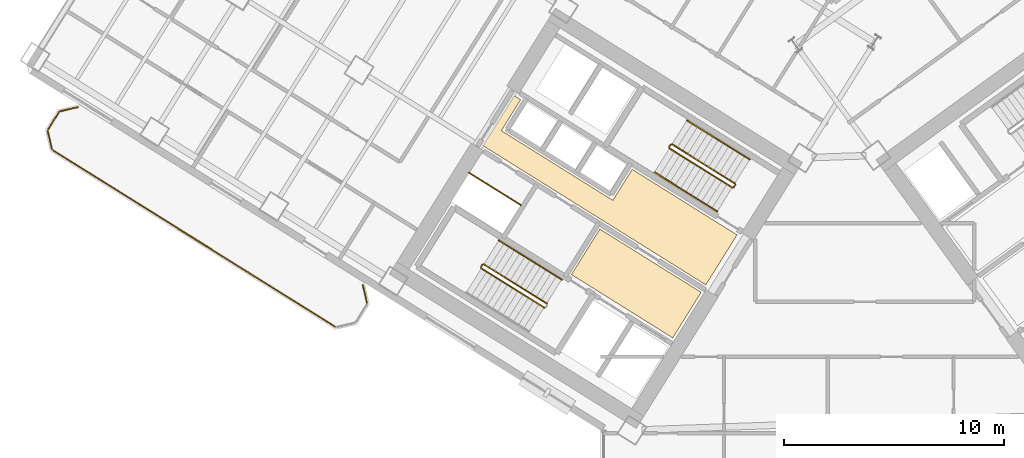
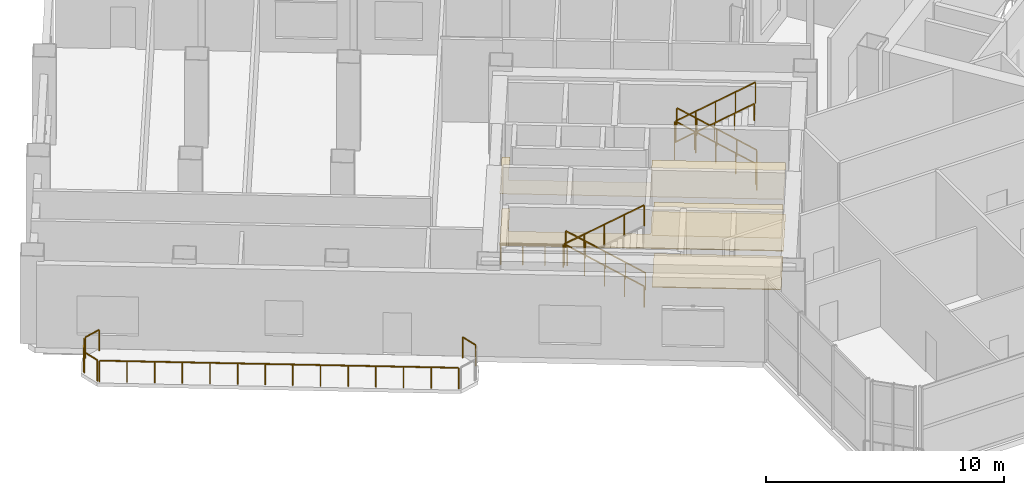
# One storey, part 17 of 19: 19 railings, 4 coverings.
"""IFC4 building model written with IfcOpenShell, lengths in metres."""

from ifc_helpers import new_model, si_unit, direction, frame, origin, origin_2d, place, context, subcontext, project, spatial, polyline, rectangle, outline, extrude, source, transform, mapped, material, layer, layer_set, type_object, element, save


model = new_model("IFC4")

# Units and contexts
model_context = context("Model", 3, precision=1e-05, world=origin(), true_north=direction((0.0, 1.0)))
body_context = subcontext(model_context, "Body", "Model", "MODEL_VIEW")
ifc_project = project(units=[si_unit("LENGTHUNIT", "METRE"), si_unit("AREAUNIT", "SQUARE_METRE"), si_unit("VOLUMEUNIT", "CUBIC_METRE"), si_unit("PLANEANGLEUNIT", "RADIAN"), si_unit("MASSUNIT", "GRAM", prefix="KILO")], contexts=[model_context])

# Site, building, storey
site_placement = place(None, origin())
site = spatial("IfcSite", under=ifc_project, at=site_placement, CompositionType="ELEMENT")
building_placement = place(site_placement, origin())
building = spatial("IfcBuilding", under=site, at=building_placement, Name="Tlacorven Tower", CompositionType="ELEMENT")
storey_placement = place(building_placement, frame((0.0, 0.0, 76.5)))
storey = spatial("IfcBuildingStorey", under=building, at=storey_placement, Name="L19", CompositionType="ELEMENT", Elevation=76.5)

# Coverings
ifc_material_1 = material(Name="Acoustic mineral-fibre ceiling")
ifc_layer_1 = layer(ifc_material_1, 0.02490234375)
ifc_layer_set_1 = layer_set([ifc_layer_1], Name="Acoustic mineral-fibre ceiling")
covering_type_1 = type_object("IfcCoveringType", Name="CV-CLG-ACST", PredefinedType="CEILING", material=ifc_layer_set_1)
covering_1_placement = place(storey_placement, frame((0.0, 0.0, 2.64990234375)))
element("IfcCovering", 1, at=covering_1_placement, inside=storey, type_object=covering_type_1, Name="L19 Acoustic Suspended Ceiling 1", PredefinedType="CEILING", context=body_context, shape_type="SweptSolid", body=[
    extrude(outline(polyline([(36.185302734375, 18.35595703125), (34.892333984375, 16.286865234375), (30.287353515625, 19.164306640625), (31.580322265625, 21.2333984375), (36.185302734375, 18.35595703125)])), origin(), (0.0, 0.0, 1.0), 0.025146484375),
])
covering_2_placement = place(storey_placement, frame((0.0, 0.0, 2.64990234375)))
element("IfcCovering", 2, at=covering_2_placement, inside=storey, type_object=covering_type_1, Name="L19 Acoustic Suspended Ceiling 2", PredefinedType="CEILING", context=body_context, shape_type="SweptSolid", body=[
    extrude(outline(polyline([(37.8173828125, 20.968017578125), (36.397216796875, 18.6953125), (26.271484375, 25.0224609375), (27.691650390625, 27.295166015625), (27.97998046875, 27.114990234375), (27.100341796875, 25.707275390625), (32.171630859375, 22.538330078125), (33.05126953125, 23.946044921875), (37.8173828125, 20.968017578125)])), origin(), (0.0, 0.0, 1.0), 0.025146484375),
])
ifc_material_2 = material(Name="Terrazzo and ceramic flooring")
ifc_layer_2 = layer(ifc_material_2, 0.0400390625)
ifc_layer_set_2 = layer_set([ifc_layer_2], Name="Terrazzo and ceramic flooring")
covering_type_2 = type_object("IfcCoveringType", Name="CV-FLR-TERZ", PredefinedType="FLOORING", material=ifc_layer_set_2)
covering_3_placement = place(storey_placement, origin())
element("IfcCovering", 3, at=covering_3_placement, inside=storey, type_object=covering_type_2, Name="L19 Terrazzo Floor Finish 1", PredefinedType="FLOORING", context=body_context, shape_type="SweptSolid", body=[
    extrude(outline(polyline([(36.185302734375, 18.35595703125), (34.892333984375, 16.286865234375), (30.287353515625, 19.164306640625), (31.580322265625, 21.2333984375), (36.185302734375, 18.35595703125)])), origin(), (0.0, 0.0, 1.0), 0.0400390625),
])
covering_4_placement = place(storey_placement, origin())
element("IfcCovering", 4, at=covering_4_placement, inside=storey, type_object=covering_type_2, Name="L19 Terrazzo Floor Finish 2", PredefinedType="FLOORING", context=body_context, shape_type="SweptSolid", body=[
    extrude(outline(polyline([(37.8173828125, 20.968017578125), (36.397216796875, 18.6953125), (26.271484375, 25.0224609375), (27.691650390625, 27.295166015625), (27.97998046875, 27.114990234375), (27.100341796875, 25.707275390625), (32.171630859375, 22.538330078125), (33.05126953125, 23.946044921875), (37.8173828125, 20.968017578125)])), origin(), (0.0, 0.0, 1.0), 0.0400390625),
])

# Railings
ifc_material_3 = material(Name="Aluminium and painted steel balustrade", Category="steel")
railing_type_1 = type_object("IfcRailingType", Name="RL-GRD-1100", PredefinedType="GUARDRAIL", material=ifc_material_3)
shared_shape_1 = source(origin(), body_context, "Body", "SweptSolid", [
    extrude(rectangle(XDim=0.048095703125, YDim=0.048095703125, at=origin_2d()), frame((0.0, 0.0, 1.076171875), z_axis=(-0.848091358275, 0.529850024081, 0.0), x_axis=(-0.529850024081, -0.848091358275, 0.0)), (0.0, 0.0, 1.0), 2.800048828125),
    extrude(rectangle(XDim=0.0419921875, YDim=0.0419921875, at=origin_2d()), origin(), (0.0, 0.0, 1.0), 1.052001953125),
    extrude(rectangle(XDim=0.0419921875, YDim=0.0419921875, at=origin_2d()), frame((-0.79150390625, 0.49462890625, 0.0)), (0.0, 0.0, 1.0), 1.052001953125),
    extrude(rectangle(XDim=0.0419921875, YDim=0.0419921875, at=origin_2d()), frame((-1.583251953125, 0.989013671875, 0.0)), (0.0, 0.0, 1.0), 1.052001953125),
    extrude(rectangle(XDim=0.0419921875, YDim=0.0419921875, at=origin_2d()), frame((-2.374755859375, 1.483642578125, 0.0)), (0.0, 0.0, 1.0), 1.052001953125),
])
railing_1_placement = place(storey_placement, frame((27.9912109375, 22.32080078125, 0.0)))
element("IfcRailing", 5, at=railing_1_placement, inside=storey, type_object=railing_type_1, Name="L19 Electrical Riser W Shaft Guard 1", PredefinedType="GUARDRAIL", context=body_context, shape_type="MappedRepresentation", body=[
    mapped(shared_shape_1, transform((0.0, 0.0, 0.0), scale=1.0)),
])
railing_type_2 = type_object("IfcRailingType", Name="RL-BAL-1100", PredefinedType="BALUSTRADE", material=ifc_material_3)
shared_shape_2 = source(origin(), body_context, "Body", "SweptSolid", [
    extrude(rectangle(XDim=0.048095703125, YDim=0.048095703125, at=origin_2d()), frame((0.0, 0.0, 1.076171875), z_axis=(0.225058334816, -0.974345290916, 0.0), x_axis=(0.974345290916, 0.225058334816, 0.0)), (0.0, 0.0, 1.0), 0.80712890625),
    extrude(rectangle(XDim=0.0419921875, YDim=0.0419921875, at=origin_2d()), origin(), (0.0, 0.0, 1.0), 1.052001953125),
    extrude(rectangle(XDim=0.0419921875, YDim=0.0419921875, at=origin_2d()), frame((0.181640625, -0.786376953125, 0.0)), (0.0, 0.0, 1.0), 1.052001953125),
])
railing_2_placement = place(storey_placement, frame((20.809814453125, 18.671142578125, 0.0)))
element("IfcRailing", 6, at=railing_2_placement, inside=storey, type_object=railing_type_2, Name="BAL-L19-W-OUT Guard Railing 1", PredefinedType="BALUSTRADE", context=body_context, shape_type="MappedRepresentation", body=[
    mapped(shared_shape_2, transform((0.0, 0.0, 0.0), scale=1.0)),
])
shared_shape_3 = source(origin(), body_context, "Body", "SweptSolid", [
    extrude(rectangle(XDim=0.048095703125, YDim=0.048095703125, at=origin_2d()), frame((0.0, 0.0, 1.076171875), z_axis=(-0.225058334816, 0.974345290916, 0.0), x_axis=(-0.974345290916, -0.225058334816, 0.0)), (0.0, 0.0, 1.0), 0.80712890625),
    extrude(rectangle(XDim=0.0419921875, YDim=0.0419921875, at=origin_2d()), origin(), (0.0, 0.0, 1.0), 1.052001953125),
    extrude(rectangle(XDim=0.0419921875, YDim=0.0419921875, at=origin_2d()), frame((-0.181640625, 0.786376953125, 0.0)), (0.0, 0.0, 1.0), 1.052001953125),
])
railing_3_placement = place(storey_placement, frame((6.66650390625, 24.88623046875, 0.0)))
element("IfcRailing", 7, at=railing_3_placement, inside=storey, type_object=railing_type_2, Name="BAL-L19-W-OUT Guard Railing 5", PredefinedType="BALUSTRADE", context=body_context, shape_type="MappedRepresentation", body=[
    mapped(shared_shape_3, transform((0.0, 0.0, 0.0), scale=1.0)),
])
shared_shape_4 = source(origin(), body_context, "Body", "SweptSolid", [
    extrude(rectangle(XDim=0.048095703125, YDim=0.048095703125, at=origin_2d()), frame((0.0, 0.0, 1.076171875), z_axis=(0.974411586182, 0.224771129628, 0.0), x_axis=(-0.224771129628, 0.974411586182, 0.0)), (0.0, 0.0, 1.0), 0.80712890625),
    extrude(rectangle(XDim=0.0419921875, YDim=0.0419921875, at=origin_2d()), origin(), (0.0, 0.0, 1.0), 1.052001953125),
    extrude(rectangle(XDim=0.0419921875, YDim=0.0419921875, at=origin_2d()), frame((0.786376953125, 0.181396484375, 0.0)), (0.0, 0.0, 1.0), 1.052001953125),
])
railing_4_placement = place(storey_placement, frame((7.05859375, 26.591064453125, 0.0)))
element("IfcRailing", 8, at=railing_4_placement, inside=storey, type_object=railing_type_2, Name="BAL-L19-W-OUT Guard Railing 7", PredefinedType="BALUSTRADE", context=body_context, shape_type="MappedRepresentation", body=[
    mapped(shared_shape_4, transform((0.0, 0.0, 0.0), scale=1.0)),
])
shared_shape_5 = source(origin(), body_context, "Body", "SweptSolid", [
    extrude(rectangle(XDim=0.048095703125, YDim=0.048095703125, at=origin_2d()), frame((0.0, 0.0, 1.076171875), z_axis=(0.529998940003, 0.847998304005, 0.0), x_axis=(-0.847998304005, 0.529998940003, 0.0)), (0.0, 0.0, 1.0), 0.912109375),
    extrude(rectangle(XDim=0.0419921875, YDim=0.0419921875, at=origin_2d()), origin(), (0.0, 0.0, 1.0), 1.052001953125),
    extrude(rectangle(XDim=0.0419921875, YDim=0.0419921875, at=origin_2d()), frame((0.4833984375, 0.7734375, 0.0)), (0.0, 0.0, 1.0), 1.052001953125),
])
railing_5_placement = place(storey_placement, frame((6.5, 25.763916015625, 0.0)))
element("IfcRailing", 9, at=railing_5_placement, inside=storey, type_object=railing_type_2, Name="BAL-L19-W-OUT Guard Railing 6", PredefinedType="BALUSTRADE", context=body_context, shape_type="MappedRepresentation", body=[
    mapped(shared_shape_5, transform((0.0, 0.0, 0.0), scale=1.0)),
])
shared_shape_6 = source(origin(), body_context, "Body", "SweptSolid", [
    extrude(rectangle(XDim=0.048095703125, YDim=0.048095703125, at=origin_2d()), frame((0.0, 0.0, 1.076171875), z_axis=(-0.848051830527, 0.529913287944, 0.0), x_axis=(-0.529913287944, -0.848051830527, 0.0)), (0.0, 0.0, 1.0), 15.1171875),
    extrude(rectangle(XDim=0.0419921875, YDim=0.0419921875, at=origin_2d()), origin(), (0.0, 0.0, 1.0), 1.052001953125),
    extrude(rectangle(XDim=0.0419921875, YDim=0.0419921875, at=origin_2d()), frame((-0.986083984375, 0.6162109375, 0.0)), (0.0, 0.0, 1.0), 1.052001953125),
    extrude(rectangle(XDim=0.0419921875, YDim=0.0419921875, at=origin_2d()), frame((-1.972412109375, 1.232421875, 0.0)), (0.0, 0.0, 1.0), 1.052001953125),
    extrude(rectangle(XDim=0.0419921875, YDim=0.0419921875, at=origin_2d()), frame((-2.95849609375, 1.8486328125, 0.0)), (0.0, 0.0, 1.0), 1.052001953125),
    extrude(rectangle(XDim=0.0419921875, YDim=0.0419921875, at=origin_2d()), frame((-3.944580078125, 2.46484375, 0.0)), (0.0, 0.0, 1.0), 1.052001953125),
    extrude(rectangle(XDim=0.0419921875, YDim=0.0419921875, at=origin_2d()), frame((-4.930908203125, 3.0810546875, 0.0)), (0.0, 0.0, 1.0), 1.052001953125),
    extrude(rectangle(XDim=0.0419921875, YDim=0.0419921875, at=origin_2d()), frame((-5.9169921875, 3.697265625, 0.0)), (0.0, 0.0, 1.0), 1.052001953125),
    extrude(rectangle(XDim=0.0419921875, YDim=0.0419921875, at=origin_2d()), frame((-6.903076171875, 4.3134765625, 0.0)), (0.0, 0.0, 1.0), 1.052001953125),
    extrude(rectangle(XDim=0.0419921875, YDim=0.0419921875, at=origin_2d()), frame((-7.88916015625, 4.9296875, 0.0)), (0.0, 0.0, 1.0), 1.052001953125),
    extrude(rectangle(XDim=0.0419921875, YDim=0.0419921875, at=origin_2d()), frame((-8.87548828125, 5.5458984375, 0.0)), (0.0, 0.0, 1.0), 1.052001953125),
    extrude(rectangle(XDim=0.0419921875, YDim=0.0419921875, at=origin_2d()), frame((-9.861572265625, 6.162109375, 0.0)), (0.0, 0.0, 1.0), 1.052001953125),
    extrude(rectangle(XDim=0.0419921875, YDim=0.0419921875, at=origin_2d()), frame((-10.84765625, 6.7783203125, 0.0)), (0.0, 0.0, 1.0), 1.052001953125),
    extrude(rectangle(XDim=0.0419921875, YDim=0.0419921875, at=origin_2d()), frame((-11.833984375, 7.39453125, 0.0)), (0.0, 0.0, 1.0), 1.052001953125),
    extrude(rectangle(XDim=0.0419921875, YDim=0.0419921875, at=origin_2d()), frame((-12.820068359375, 8.0107421875, 0.0)), (0.0, 0.0, 1.0), 1.052001953125),
])
railing_6_placement = place(storey_placement, frame((19.5400390625, 16.80029296875, 0.0)))
element("IfcRailing", 10, at=railing_6_placement, inside=storey, type_object=railing_type_2, Name="BAL-L19-W-OUT Guard Railing 4", PredefinedType="BALUSTRADE", context=body_context, shape_type="MappedRepresentation", body=[
    mapped(shared_shape_6, transform((0.0, 0.0, 0.0), scale=1.0)),
])
shared_shape_7 = source(origin(), body_context, "Body", "SweptSolid", [
    extrude(rectangle(XDim=0.048095703125, YDim=0.048095703125, at=origin_2d()), frame((0.0, 0.0, 1.076171875), z_axis=(-0.530546985787, -0.847655529016, 0.0), x_axis=(0.847655529016, -0.530546985787, 0.0)), (0.0, 0.0, 1.0), 0.1201171875),
    extrude(rectangle(XDim=0.0419921875, YDim=0.0419921875, at=origin_2d()), origin(), (0.0, 0.0, 1.0), 1.052001953125),
    extrude(rectangle(XDim=0.0419921875, YDim=0.0419921875, at=origin_2d()), frame((-0.063720703125, -0.101806640625, 0.0)), (0.0, 0.0, 1.0), 1.052001953125),
])
for number, where, name in (
    (11, (26.242431640625, 19.616455078125, 2.25), "L19 ST-W1 stair guard 2"),
    (12, (34.7939453125, 25.07421875, 2.25), "L19 ST-W2 stair guard 2"),
    (13, (37.728271484375, 23.24072265625, 0.0), "L19 ST-W2 stair guard 4"),
):
    element("IfcRailing", number, at=place(storey_placement, frame(where)), inside=storey, type_object=railing_type_1, Name=name, PredefinedType="GUARDRAIL", context=body_context, shape_type="MappedRepresentation", body=[
        mapped(shared_shape_7, transform((0.0, 0.0, 0.0), scale=1.0)),
    ])
shared_shape_8 = source(origin(), body_context, "Body", "SweptSolid", [
    extrude(rectangle(XDim=0.048095703125, YDim=0.048095703125, at=origin_2d()), frame((0.0, 0.0, 1.076171875), z_axis=(-0.721354668439, 0.45076168254, 0.525795918465), x_axis=(-0.529927092104, -0.84804320471, 0.0)), (0.0, 0.0, 1.0), 3.949951171875),
    extrude(rectangle(XDim=0.0419921875, YDim=0.0419921875, at=origin_2d()), origin(), (0.0, 0.0, 1.0), 1.052001953125),
    extrude(rectangle(XDim=0.0419921875, YDim=0.0419921875, at=origin_2d()), frame((-0.71240234375, 0.445068359375, 0.519287109375)), (0.0, 0.0, 1.0), 1.052001953125),
    extrude(rectangle(XDim=0.0419921875, YDim=0.0419921875, at=origin_2d()), frame((-1.4248046875, 0.89013671875, 1.03857421875)), (0.0, 0.0, 1.0), 1.052001953125),
    extrude(rectangle(XDim=0.0419921875, YDim=0.0419921875, at=origin_2d()), frame((-2.136962890625, 1.33544921875, 1.5576171875)), (0.0, 0.0, 1.0), 1.052001953125),
    extrude(rectangle(XDim=0.0419921875, YDim=0.0419921875, at=origin_2d()), frame((-2.849365234375, 1.780517578125, 2.076904296875)), (0.0, 0.0, 1.0), 1.052001953125),
])
for number, where, name in (
    (14, (29.16064453125, 17.851806640625, 0.173095703125), "L19 ST-W1 stair guard 1"),
    (15, (37.712158203125, 23.3095703125, 0.173095703125), "L19 ST-W2 stair guard 1"),
):
    element("IfcRailing", number, at=place(storey_placement, frame(where)), inside=storey, type_object=railing_type_1, Name=name, PredefinedType="GUARDRAIL", context=body_context, shape_type="MappedRepresentation", body=[
        mapped(shared_shape_8, transform((0.0, 0.0, 0.0), scale=1.0)),
    ])
shared_shape_9 = source(origin(), body_context, "Body", "SweptSolid", [
    extrude(rectangle(XDim=0.048095703125, YDim=0.048095703125, at=origin_2d()), frame((0.0, 0.0, 1.076171875), z_axis=(0.721384312238, -0.450741585774, 0.525772476372), x_axis=(0.52989443915, 0.848063608085, 0.0)), (0.0, 0.0, 1.0), 3.9501953125),
    extrude(rectangle(XDim=0.0419921875, YDim=0.0419921875, at=origin_2d()), origin(), (0.0, 0.0, 1.0), 1.052001953125),
    extrude(rectangle(XDim=0.0419921875, YDim=0.0419921875, at=origin_2d()), frame((0.71240234375, -0.445068359375, 0.519287109375)), (0.0, 0.0, 1.0), 1.052001953125),
    extrude(rectangle(XDim=0.0419921875, YDim=0.0419921875, at=origin_2d()), frame((1.4248046875, -0.89013671875, 1.03857421875)), (0.0, 0.0, 1.0), 1.052001953125),
    extrude(rectangle(XDim=0.0419921875, YDim=0.0419921875, at=origin_2d()), frame((2.13720703125, -1.33544921875, 1.5576171875)), (0.0, 0.0, 1.0), 1.052001953125),
    extrude(rectangle(XDim=0.0419921875, YDim=0.0419921875, at=origin_2d()), frame((2.849609375, -1.780517578125, 2.076904296875)), (0.0, 0.0, 1.0), 1.052001953125),
])
railing_7_placement = place(storey_placement, frame((26.194580078125, 19.44580078125, 2.423095703125)))
element("IfcRailing", 16, at=railing_7_placement, inside=storey, type_object=railing_type_1, Name="L19 ST-W1 stair guard 3", PredefinedType="GUARDRAIL", context=body_context, shape_type="MappedRepresentation", body=[
    mapped(shared_shape_9, transform((0.0, 0.0, 0.0), scale=1.0)),
])
railing_type_3 = type_object("IfcRailingType", Name="RL-HND-0900", PredefinedType="HANDRAIL", material=ifc_material_3)
shared_shape_10 = source(origin(), body_context, "Body", "SweptSolid", [
    extrude(rectangle(XDim=0.048095703125, YDim=0.048095703125, at=origin_2d()), frame((0.0, 0.0, 0.8759765625), z_axis=(0.721340775611, -0.4507761838, 0.52580254617), x_axis=(0.529946692594, 0.848030956397, 0.0)), (0.0, 0.0, 1.0), 1.97509765625),
    extrude(rectangle(XDim=0.0419921875, YDim=0.0419921875, at=origin_2d()), origin(), (0.0, 0.0, 1.0), 0.851806640625),
    extrude(rectangle(XDim=0.0419921875, YDim=0.0419921875, at=origin_2d()), frame((0.71240234375, -0.4453125, 0.519287109375)), (0.0, 0.0, 1.0), 0.851806640625),
    extrude(rectangle(XDim=0.0419921875, YDim=0.0419921875, at=origin_2d()), frame((1.4248046875, -0.890380859375, 1.03857421875)), (0.0, 0.0, 1.0), 0.851806640625),
])
railing_8_placement = place(storey_placement, frame((35.49267578125, 22.927734375, 3.46142578125)))
element("IfcRailing", 17, at=railing_8_placement, inside=storey, type_object=railing_type_3, Name="L19 ST-W2 stair handrail 4", PredefinedType="HANDRAIL", context=body_context, shape_type="MappedRepresentation", body=[
    mapped(shared_shape_10, transform((0.0, 0.0, 0.0), scale=1.0)),
])
shared_shape_11 = source(origin(), body_context, "Body", "SweptSolid", [
    extrude(rectangle(XDim=0.048095703125, YDim=0.048095703125, at=origin_2d()), frame((0.0, 0.0, 0.8759765625), z_axis=(-0.721387654753, 0.450805479247, 0.525713107551), x_axis=(-0.529946692594, -0.848030956397, 0.0)), (0.0, 0.0, 1.0), 1.97509765625),
    extrude(rectangle(XDim=0.0419921875, YDim=0.0419921875, at=origin_2d()), origin(), (0.0, 0.0, 1.0), 0.851806640625),
    extrude(rectangle(XDim=0.0419921875, YDim=0.0419921875, at=origin_2d()), frame((-0.71240234375, 0.4453125, 0.51904296875)), (0.0, 0.0, 1.0), 0.851806640625),
    extrude(rectangle(XDim=0.0419921875, YDim=0.0419921875, at=origin_2d()), frame((-1.4248046875, 0.890380859375, 1.038330078125)), (0.0, 0.0, 1.0), 0.851806640625),
])
for number, where, name in (
    (18, (29.839111328125, 18.937255859375, 0.173095703125), "L19 ST-W1 stair handrail 1"),
    (19, (38.390625, 24.39501953125, 0.173095703125), "L19 ST-W2 stair handrail 1"),
):
    element("IfcRailing", number, at=place(storey_placement, frame(where)), inside=storey, type_object=railing_type_3, Name=name, PredefinedType="HANDRAIL", context=body_context, shape_type="MappedRepresentation", body=[
        mapped(shared_shape_11, transform((0.0, 0.0, 0.0), scale=1.0)),
    ])
shared_shape_12 = source(origin(), body_context, "Body", "SweptSolid", [
    extrude(rectangle(XDim=0.048095703125, YDim=0.048095703125, at=origin_2d()), frame((0.0, 0.0, 0.8759765625), z_axis=(-0.721380964259, 0.45067768946, 0.525831840637), x_axis=(-0.52984217967, -0.848096259066, 0.0)), (0.0, 0.0, 1.0), 1.97509765625),
    extrude(rectangle(XDim=0.0419921875, YDim=0.0419921875, at=origin_2d()), origin(), (0.0, 0.0, 1.0), 0.851806640625),
    extrude(rectangle(XDim=0.0419921875, YDim=0.0419921875, at=origin_2d()), frame((-0.71240234375, 0.445068359375, 0.519287109375)), (0.0, 0.0, 1.0), 0.851806640625),
    extrude(rectangle(XDim=0.0419921875, YDim=0.0419921875, at=origin_2d()), frame((-1.4248046875, 0.89013671875, 1.03857421875)), (0.0, 0.0, 1.0), 0.851806640625),
])
for number, where, name in (
    (20, (28.414306640625, 19.82763671875, 1.21142578125), "L19 ST-W1 stair handrail 2"),
    (21, (36.9658203125, 25.285400390625, 1.21142578125), "L19 ST-W2 stair handrail 2"),
):
    element("IfcRailing", number, at=place(storey_placement, frame(where)), inside=storey, type_object=railing_type_3, Name=name, PredefinedType="HANDRAIL", context=body_context, shape_type="MappedRepresentation", body=[
        mapped(shared_shape_12, transform((0.0, 0.0, 0.0), scale=1.0)),
    ])
shared_shape_13 = source(origin(), body_context, "Body", "SweptSolid", [
    extrude(rectangle(XDim=0.048095703125, YDim=0.048095703125, at=origin_2d()), frame((0.0, 0.0, 1.076171875), z_axis=(0.721354668439, -0.45076168254, 0.525795918465), x_axis=(0.529927092104, 0.84804320471, 0.0)), (0.0, 0.0, 1.0), 3.949951171875),
    extrude(rectangle(XDim=0.0419921875, YDim=0.0419921875, at=origin_2d()), origin(), (0.0, 0.0, 1.0), 1.052001953125),
    extrude(rectangle(XDim=0.0419921875, YDim=0.0419921875, at=origin_2d()), frame((0.71240234375, -0.445068359375, 0.519287109375)), (0.0, 0.0, 1.0), 1.052001953125),
    extrude(rectangle(XDim=0.0419921875, YDim=0.0419921875, at=origin_2d()), frame((1.4248046875, -0.89013671875, 1.03857421875)), (0.0, 0.0, 1.0), 1.052001953125),
    extrude(rectangle(XDim=0.0419921875, YDim=0.0419921875, at=origin_2d()), frame((2.136962890625, -1.33544921875, 1.5576171875)), (0.0, 0.0, 1.0), 1.052001953125),
    extrude(rectangle(XDim=0.0419921875, YDim=0.0419921875, at=origin_2d()), frame((2.849365234375, -1.780517578125, 2.076904296875)), (0.0, 0.0, 1.0), 1.052001953125),
])
railing_9_placement = place(storey_placement, frame((34.746337890625, 24.903564453125, 2.423095703125)))
element("IfcRailing", 22, at=railing_9_placement, inside=storey, type_object=railing_type_1, Name="L19 ST-W2 stair guard 3", PredefinedType="GUARDRAIL", context=body_context, shape_type="MappedRepresentation", body=[
    mapped(shared_shape_13, transform((0.0, 0.0, 0.0), scale=1.0)),
])
shared_shape_14 = source(origin(), body_context, "Body", "SweptSolid", [
    extrude(rectangle(XDim=0.048095703125, YDim=0.048095703125, at=origin_2d()), frame((0.0, 0.0, 0.8759765625), z_axis=(0.721427851237, -0.45070698177, 0.525742400842), x_axis=(0.52984217967, 0.848096259066, 0.0)), (0.0, 0.0, 1.0), 1.97509765625),
    extrude(rectangle(XDim=0.0419921875, YDim=0.0419921875, at=origin_2d()), origin(), (0.0, 0.0, 1.0), 0.851806640625),
    extrude(rectangle(XDim=0.0419921875, YDim=0.0419921875, at=origin_2d()), frame((0.71240234375, -0.445068359375, 0.51904296875)), (0.0, 0.0, 1.0), 0.851806640625),
    extrude(rectangle(XDim=0.0419921875, YDim=0.0419921875, at=origin_2d()), frame((1.4248046875, -0.89013671875, 1.038330078125)), (0.0, 0.0, 1.0), 0.851806640625),
])
railing_10_placement = place(storey_placement, frame((34.06787109375, 23.81787109375, 2.423095703125)))
element("IfcRailing", 23, at=railing_10_placement, inside=storey, type_object=railing_type_3, Name="L19 ST-W2 stair handrail 3", PredefinedType="HANDRAIL", context=body_context, shape_type="MappedRepresentation", body=[
    mapped(shared_shape_14, transform((0.0, 0.0, 0.0), scale=1.0)),
])

save(model, "model.ifc")
